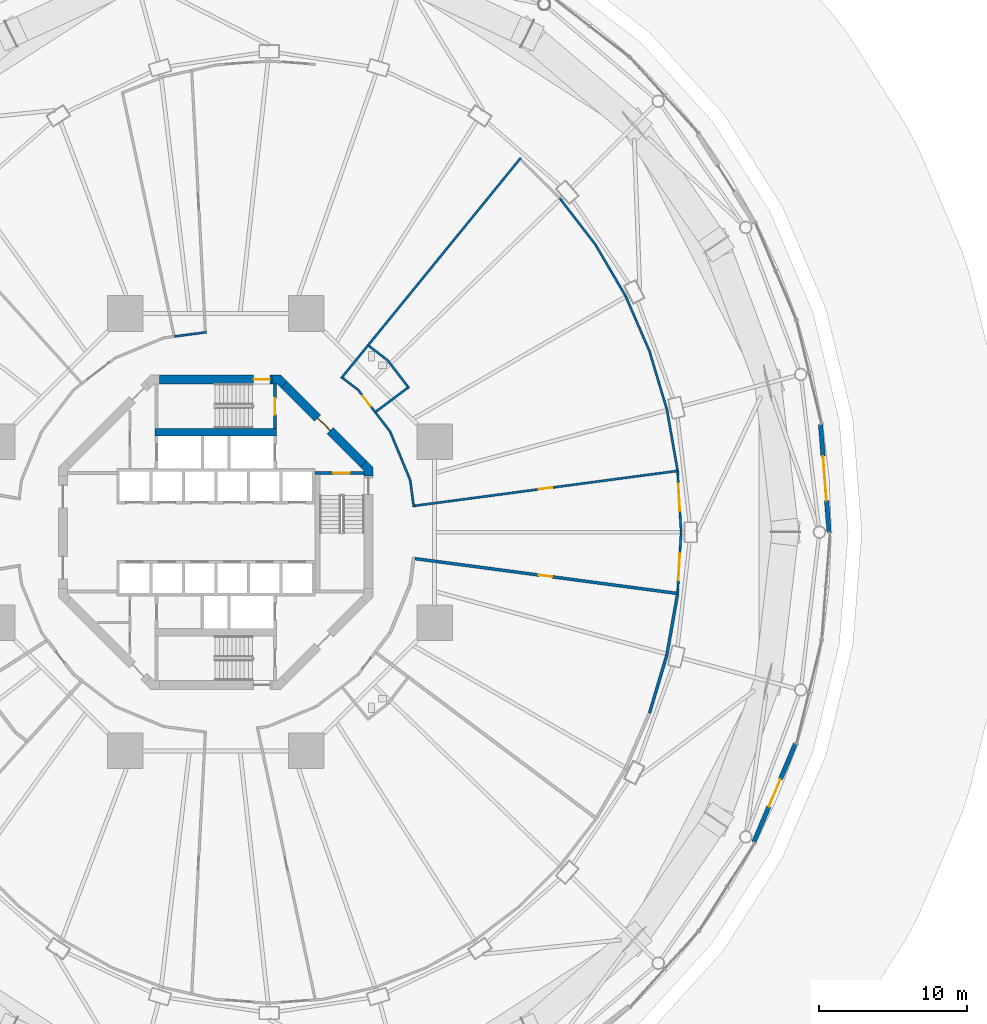
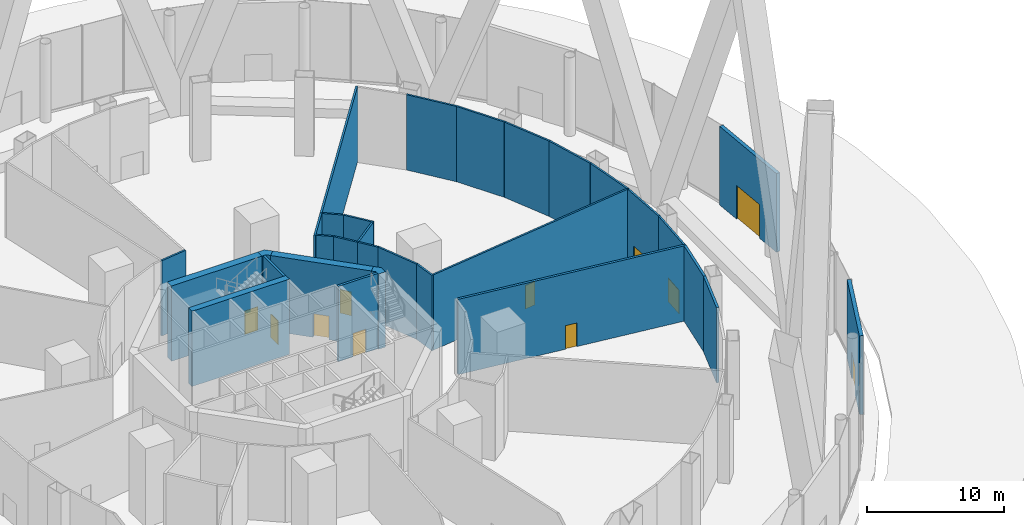
# One storey, part 61 of 67: 31 walls, 11 doors, 11 openings.
"""IFC4 building model written with IfcOpenShell, lengths in metres."""

import ifcopenshell
import ifcopenshell.guid

model = None  # the IFC model being written
_history = None  # IfcOwnerHistory: only IFC2X3 demands one
_inside = {}  # id of a spatial element -> (the spatial element, [elements in it])
_under = {}  # id of a project, library or spatial element -> (it, [spatial elements below it])
_declared = {}  # id of a project -> (the project, [libraries it declares])
_typed = {}  # id of a type object -> (the type object, [elements of that type])
_made_of = {}  # id of a material, layer set ... -> (it, [elements and type objects made of it])


def new_model(schema):
    """Start an empty IFC model of exactly this schema.

    Asked for "IFC4X3", IfcOpenShell would pick the latest addendum, in which some entities
    have other attributes; the version numbers below select the first issue.
    IFC2X3 requires an IfcOwnerHistory on every rooted entity: one is made here for all.
    """
    global model, _history
    if schema == "IFC4X3":
        model = ifcopenshell.file(schema_version=(4, 3, 0, 0))
    else:
        model = ifcopenshell.file(schema=schema)
    _inside.clear()
    _under.clear()
    _declared.clear()
    _typed.clear()
    _made_of.clear()
    _history = None
    if model.schema == "IFC2X3":
        org = make("IfcOrganization", Name="unknown")
        user = make(
            "IfcPersonAndOrganization",
            ThePerson=make("IfcPerson", FamilyName="unknown"),
            TheOrganization=org,
        )
        app = make(
            "IfcApplication",
            ApplicationDeveloper=org,
            Version="unknown",
            ApplicationFullName="unknown",
            ApplicationIdentifier="unknown",
        )
        _history = make(
            "IfcOwnerHistory",
            OwningUser=user,
            OwningApplication=app,
            ChangeAction="ADDED",
            CreationDate=0,
        )
    return model


def make(cls, **values):
    """One entity of the class cls with the attributes given. An attribute that is None is left unset."""
    return model.create_entity(
        cls, **{name: value for name, value in values.items() if value is not None}
    )


def rooted(cls, **values):
    """An entity with a GlobalId (a new one), such as an element, a storey or a relation."""
    return make(cls, GlobalId=ifcopenshell.guid.new(), OwnerHistory=_history, **values)


def si_unit(unit_type, name, prefix=None):
    """IfcSIUnit, for example si_unit("LENGTHUNIT", "METRE", prefix="MILLI")."""
    return make("IfcSIUnit", UnitType=unit_type, Prefix=prefix, Name=name)


def assignment(units):
    """IfcUnitAssignment: the units of a project."""
    return None if units is None else make("IfcUnitAssignment", Units=units)


def point(xyz):
    """IfcCartesianPoint."""
    return None if xyz is None else make("IfcCartesianPoint", Coordinates=xyz)


def direction(xyz):
    """IfcDirection."""
    return None if xyz is None else make("IfcDirection", DirectionRatios=xyz)


def frame(location, z_axis=None, x_axis=None):
    """IfcAxis2Placement3D, a coordinate frame: its origin and axes. An axis left out is left unset."""
    return make(
        "IfcAxis2Placement3D",
        Location=point(location),
        Axis=direction(z_axis),
        RefDirection=direction(x_axis),
    )


def frame_2d(location, x_axis=None):
    """IfcAxis2Placement2D, a coordinate frame in the plane: its origin and x axis."""
    return make(
        "IfcAxis2Placement2D", Location=point(location), RefDirection=direction(x_axis)
    )


def origin():
    """The frame at (0, 0, 0) with its axes left unset."""
    return frame((0.0, 0.0, 0.0))


def place(relative_to, where):
    """IfcLocalPlacement: puts the frame where relative to a parent placement (None: the world)."""
    return make(
        "IfcLocalPlacement", PlacementRelTo=relative_to, RelativePlacement=where
    )


def context(
    kind, dimensions, precision=None, world=None, true_north=None, identifier=None
):
    """IfcGeometricRepresentationContext, for example the 3D "Model" context."""
    return make(
        "IfcGeometricRepresentationContext",
        ContextIdentifier=identifier,
        ContextType=kind,
        CoordinateSpaceDimension=dimensions,
        Precision=precision,
        WorldCoordinateSystem=world,
        TrueNorth=true_north,
    )


def subcontext(parent, identifier, kind, view, scale=None):
    """IfcGeometricRepresentationSubContext, for example "Body" below "Model"."""
    return make(
        "IfcGeometricRepresentationSubContext",
        ContextIdentifier=identifier,
        ContextType=kind,
        ParentContext=parent,
        TargetScale=scale,
        TargetView=view,
    )


def project(units=None, contexts=None):
    """IfcProject with its units and contexts."""
    return rooted(
        "IfcProject",
        Name="project",
        RepresentationContexts=contexts,
        UnitsInContext=assignment(units),
    )


def spatial(cls, under=None, at=None, **own):
    """A site, building, storey or space (cls), placed at a placement, below another one or the project."""
    s = rooted(cls, ObjectPlacement=at, **own)
    if under is not None:
        _under.setdefault(under.id(), (under, []))[1].append(s)
    return s


def polyline(points):
    """IfcPolyline through the points."""
    return make("IfcPolyline", Points=[point(p) for p in points])


def profile(cls, at=None, kind="AREA", **sizes):
    """A parametric profile (cls). Its sizes go by their IFC names, for example OverallWidth=200.0."""
    return make(cls, ProfileType=kind, Position=at, **sizes)


def rectangle(**sizes):
    """IfcRectangleProfileDef."""
    return profile("IfcRectangleProfileDef", **sizes)


def outline(outer, holes=None, kind="AREA"):
    """IfcArbitraryClosedProfileDef: a profile drawn as a closed curve; with holes, ...WithVoids."""
    if holes is None:
        return make("IfcArbitraryClosedProfileDef", ProfileType=kind, OuterCurve=outer)
    return make(
        "IfcArbitraryProfileDefWithVoids",
        ProfileType=kind,
        OuterCurve=outer,
        InnerCurves=holes,
    )


def extrude(swept, where, along, depth):
    """IfcExtrudedAreaSolid: the profile swept, set in the frame where, extruded along a direction by depth."""
    return make(
        "IfcExtrudedAreaSolid",
        SweptArea=swept,
        Position=where,
        ExtrudedDirection=direction(along),
        Depth=depth,
    )


def shape(context_of_items, identifier, shape_type, items):
    """IfcShapeRepresentation: the items that make up one representation, for example the "Body"."""
    return make(
        "IfcShapeRepresentation",
        ContextOfItems=context_of_items,
        RepresentationIdentifier=identifier,
        RepresentationType=shape_type,
        Items=items,
    )


def material(Name=None, Category=None):
    """IfcMaterial."""
    return make("IfcMaterial", Name=Name, Category=Category)


def layer(
    of_material, thickness, ventilated=None, Name=None, Category=None, Priority=None
):
    """IfcMaterialLayer: one layer of a wall or slab, of a material (None: an air gap)."""
    return make(
        "IfcMaterialLayer",
        Material=of_material,
        LayerThickness=thickness,
        IsVentilated=ventilated,
        Name=Name,
        Category=Category,
        Priority=Priority,
    )


def layer_set(layers, Name=None):
    """IfcMaterialLayerSet."""
    return make("IfcMaterialLayerSet", MaterialLayers=layers, LayerSetName=Name)


def made_of(thing, what):
    """Note that an element or type object is made of a material, layer set ...; save() writes the relation."""
    if what is not None:
        _made_of.setdefault(what.id(), (what, []))[1].append(thing)
    return thing


def type_object(cls, material=None, **own):
    """A type object (cls), such as IfcWallType, which elements share."""
    return made_of(rooted(cls, **own), material)


def element(
    cls,
    number,
    at=None,
    inside=None,
    cuts=None,
    type_object=None,
    material=None,
    context=None,
    identifier="Body",
    shape_type=None,
    held_by="IfcProductDefinitionShape",
    body=None,
    shapes=None,
    **own,
):
    """One element of the class cls, such as IfcWall. Its Tag is "e" and its number.

    at: its placement. inside: the storey or other place that contains it. cuts: it is an
    opening in that element (IfcRelVoidsElement). A single representation is given by context,
    identifier, shape_type and body (its items); several are given by shapes. held_by: the class
    of the entity that holds the representations. save() writes the other relations.
    """
    e = rooted(cls, Tag="e%d" % number, ObjectPlacement=at, **own)
    if body is not None:
        shapes = [shape(context, identifier, shape_type, body)]
    if shapes is not None:
        e.Representation = make(held_by, Representations=shapes)
    if inside is not None:
        _inside.setdefault(inside.id(), (inside, []))[1].append(e)
    if cuts is not None:
        rooted(
            "IfcRelVoidsElement", RelatingBuildingElement=cuts, RelatedOpeningElement=e
        )
    if type_object is not None:
        _typed.setdefault(type_object.id(), (type_object, []))[1].append(e)
    return made_of(e, material)


def fill(opening, filler):
    """IfcRelFillsElement: the door or window that sits in an opening."""
    return rooted(
        "IfcRelFillsElement",
        RelatingOpeningElement=opening,
        RelatedBuildingElement=filler,
    )


def aggregate(whole, parts):
    """IfcRelAggregates: a whole, such as a stair, and the parts it consists of."""
    return rooted("IfcRelAggregates", RelatingObject=whole, RelatedObjects=parts)


def save(model, path):
    """Write the relations noted so far, then the file.

    IfcRelAggregates (storeys below a building ...), IfcRelContainedInSpatialStructure (elements
    in a storey), IfcRelDefinesByType, IfcRelAssociatesMaterial and IfcRelDeclares: one each for
    every whole, place, type object, material and project.
    """
    for whole, parts in _under.values():
        aggregate(whole, parts)
    for where, things in _inside.values():
        rooted(
            "IfcRelContainedInSpatialStructure",
            RelatedElements=things,
            RelatingStructure=where,
        )
    for kind, things in _typed.values():
        rooted("IfcRelDefinesByType", RelatedObjects=things, RelatingType=kind)
    for what, things in _made_of.values():
        rooted("IfcRelAssociatesMaterial", RelatedObjects=things, RelatingMaterial=what)
    for by, libraries in _declared.values():
        rooted("IfcRelDeclares", RelatingContext=by, RelatedDefinitions=libraries)
    model.write(path)


model = new_model("IFC4")

# Units and contexts
model_context = context("Model", 3, precision=1e-05, world=origin(), true_north=direction((0.0, 1.0)))
body_context = subcontext(model_context, "Body", "Model", "MODEL_VIEW")
ifc_project = project(units=[si_unit("LENGTHUNIT", "METRE"), si_unit("AREAUNIT", "SQUARE_METRE"), si_unit("VOLUMEUNIT", "CUBIC_METRE"), si_unit("PLANEANGLEUNIT", "RADIAN"), si_unit("MASSUNIT", "GRAM", prefix="KILO")], contexts=[model_context])

# Site, building, storey
site_placement = place(None, origin())
site = spatial("IfcSite", under=ifc_project, at=site_placement, CompositionType="ELEMENT")
building_placement = place(site_placement, origin())
building = spatial("IfcBuilding", under=site, at=building_placement, Name="Nagisa Residences", CompositionType="ELEMENT")
storey_placement = place(building_placement, origin())
storey = spatial("IfcBuildingStorey", under=building, at=storey_placement, Name="L00", CompositionType="ELEMENT", Elevation=0.0)

# Wall, opening, door
ifc_material_1 = material(Name="Concrete C60", Category="concrete")
ifc_layer_1 = layer(ifc_material_1, 0.60009765625)
ifc_layer_set_1 = layer_set([ifc_layer_1], Name="Core shear wall 600")
wall_type_1 = type_object("IfcWallType", Name="Core shear wall 600", PredefinedType="SHEAR", material=ifc_layer_set_1)
wall_1_placement = place(storey_placement, frame((9.98828125, 4.613037109375, 0.0), z_axis=(0.0, 0.0, 1.0), x_axis=(-0.707106781187, 0.707106781187, 0.0)))
wall_1 = element("IfcWall", 1, at=wall_1_placement, inside=storey, type_object=wall_type_1, Name="wall:L00:core:flat1", PredefinedType="SHEAR", context=body_context, shape_type="SweptSolid", body=[
    extrude(rectangle(XDim=7.601806640625, YDim=0.60009765625, at=frame_2d((3.80078125, 0.0))), origin(), (0.0, 0.0, 1.0), 6.699951171875),
])
opening_1_placement = place(wall_1_placement, frame((3.200927734375, 0.0, 0.0)))
opening_1 = element("IfcOpeningElement", 2, at=opening_1_placement, cuts=wall_1, Name="Opening L00-C23", PredefinedType="OPENING", context=body_context, shape_type="SweptSolid", body=[
    extrude(rectangle(XDim=1.199951171875, YDim=2.10009765625, at=frame_2d((0.60009765625, 1.050048828125))), frame((0.0, 0.31005859375, 0.0), z_axis=(0.0, -1.0, 0.0), x_axis=(1.0, 0.0, 0.0)), (0.0, 0.0, 1.0), 0.6201171875),
])
ifc_material_2 = material(Name="Steel fire door", Category="steel")
door_type_1 = type_object("IfcDoorType", Name="Fire door EI60 1200x2100 single swing", OperationType="NOTDEFINED", PredefinedType="DOOR", material=ifc_material_2)
door_1_placement = place(opening_1_placement, origin())
door_1 = element("IfcDoor", 3, at=door_1_placement, inside=storey, type_object=door_type_1, Name="Firefighting lobby 1 door L00", OperationType="SINGLE_SWING_LEFT", OverallHeight=2.10009765625, OverallWidth=1.199951171875, PredefinedType="DOOR", context=body_context, shape_type="SweptSolid", body=[
    extrude(rectangle(XDim=1.199951171875, YDim=2.10009765625, at=frame_2d((0.60009765625, 1.050048828125))), frame((0.0, 0.02490234375, 0.0), z_axis=(0.0, -1.0, 0.0), x_axis=(1.0, 0.0, 0.0)), (0.0, 0.0, 1.0), 0.050048828125),
])
fill(opening_1, door_1)

wall_2_placement = place(storey_placement, frame((3.80078125, 10.32470703125, 0.0), z_axis=(0.0, 0.0, 1.0), x_axis=(-1.0, 0.0, 0.0)))
wall_2 = element("IfcWall", 4, at=wall_2_placement, inside=storey, type_object=wall_type_1, Name="wall:L00:core:flat2", PredefinedType="SHEAR", context=body_context, shape_type="SweptSolid", body=[
    extrude(rectangle(XDim=7.6015625, YDim=0.60009765625, at=frame_2d((3.80078125, 0.0))), origin(), (0.0, 0.0, 1.0), 6.699951171875),
])
opening_2_placement = place(wall_2_placement, frame((0.15087890625, 0.0, 0.0)))
opening_2 = element("IfcOpeningElement", 5, at=opening_2_placement, cuts=wall_2, Name="Opening L00-C30", PredefinedType="OPENING", context=body_context, shape_type="SweptSolid", body=[
    extrude(rectangle(XDim=1.10009765625, YDim=2.10009765625, at=frame_2d((0.550048828125, 1.050048828125))), frame((0.0, 0.31005859375, 0.0), z_axis=(0.0, -1.0, 0.0), x_axis=(1.0, 0.0, 0.0)), (0.0, 0.0, 1.0), 0.6201171875),
])
ifc_material_3 = material(Name="Steel fire door", Category="steel")
door_type_2 = type_object("IfcDoorType", Name="Fire door EI60 1100x2100 single swing", OperationType="NOTDEFINED", PredefinedType="DOOR", material=ifc_material_3)
door_2_placement = place(opening_2_placement, frame((1.10009765625, 0.0, 0.0), x_axis=(-1.0, 0.0, 0.0)))
door_2 = element("IfcDoor", 6, at=door_2_placement, inside=storey, type_object=door_type_2, Name="Exit door stair N", OperationType="SINGLE_SWING_LEFT", OverallHeight=2.10009765625, OverallWidth=1.10009765625, PredefinedType="DOOR", context=body_context, shape_type="SweptSolid", body=[
    extrude(rectangle(XDim=1.10009765625, YDim=2.10009765625, at=frame_2d((0.550048828125, 1.050048828125))), frame((0.0, 0.02490234375, 0.0), z_axis=(0.0, -1.0, 0.0), x_axis=(1.0, 0.0, 0.0)), (0.0, 0.0, 1.0), 0.050048828125),
])
fill(opening_2, door_2)

# Walls
wall_3_placement = place(storey_placement, origin())
element("IfcWall", 7, at=wall_3_placement, inside=storey, type_object=wall_type_1, Name="wall:L00:core:pier1", PredefinedType="SHEAR", context=body_context, shape_type="SweptSolid", body=[
    extrude(outline(polyline([(4.8251953125, 10.200439453125), (4.40087890625, 9.776123046875), (4.15234375, 10.024658203125), (3.80078125, 10.024658203125), (3.80078125, 10.62451171875), (4.40087890625, 10.62451171875), (4.8251953125, 10.200439453125)])), origin(), (0.0, 0.0, 1.0), 6.699951171875),
])
wall_4_placement = place(storey_placement, origin())
element("IfcWall", 8, at=wall_4_placement, inside=storey, type_object=wall_type_1, Name="wall:L00:core:pier0", PredefinedType="SHEAR", context=body_context, shape_type="SweptSolid", body=[
    extrude(outline(polyline([(10.62451171875, 3.80078125), (10.024658203125, 3.80078125), (10.024658203125, 4.15234375), (9.776123046875, 4.40087890625), (10.200439453125, 4.8251953125), (10.62451171875, 4.40087890625), (10.62451171875, 3.80078125)])), origin(), (0.0, 0.0, 1.0), 6.699951171875),
])

# Wall, opening, door
ifc_material_4 = material(Name="Precast concrete C40/50", Category="concrete")
ifc_layer_2 = layer(ifc_material_4, 0.300048828125)
ifc_layer_set_2 = layer_set([ifc_layer_2], Name="ENTRANCE WALL 300")
wall_type_2 = type_object("IfcWallType", Name="ENTRANCE WALL 300", PredefinedType="SOLIDWALL", material=ifc_layer_set_2)
wall_5_placement = place(storey_placement, frame((40.873046875, 7.281494140625, 0.0), z_axis=(0.0, 0.0, 1.0), x_axis=(0.078921540002, -0.996880830653, 0.0)))
wall_5 = element("IfcWall", 9, at=wall_5_placement, inside=storey, type_object=wall_type_2, Name="wall:L00:ent00", PredefinedType="SOLIDWALL", context=body_context, shape_type="SweptSolid", body=[
    extrude(rectangle(XDim=7.31591796875, YDim=0.300048828125, at=frame_2d((3.657958984375, 0.0))), origin(), (0.0, 0.0, 1.0), 7.0),
])
opening_3_placement = place(wall_5_placement, frame((2.157958984375, 0.0, 0.0)))
opening_3 = element("IfcOpeningElement", 10, at=opening_3_placement, cuts=wall_5, Name="Opening ED-01", PredefinedType="OPENING", context=body_context, shape_type="SweptSolid", body=[
    extrude(rectangle(XDim=3.0, YDim=3.0, at=frame_2d((1.5, 1.5))), frame((0.0, 0.159912109375, 0.0), z_axis=(0.0, -1.0, 0.0), x_axis=(1.0, 0.0, 0.0)), (0.0, 0.0, 1.0), 0.320068359375),
])
ifc_material_5 = material(Name="Stainless steel and clear glass", Category="steel")
door_type_3 = type_object("IfcDoorType", Name="ENTRANCE DOUBLE DOOR 3000x3000", OperationType="DOUBLE_DOOR_DOUBLE_SWING", PredefinedType="DOOR", material=ifc_material_5)
door_3_placement = place(opening_3_placement, origin())
door_3 = element("IfcDoor", 11, at=door_3_placement, inside=storey, type_object=door_type_3, Name="door:L00:ent00", OperationType="DOUBLE_DOOR_DOUBLE_SWING", OverallHeight=3.0, OverallWidth=3.0, PredefinedType="DOOR", context=body_context, shape_type="SweptSolid", body=[
    extrude(rectangle(XDim=3.0, YDim=3.0, at=frame_2d((1.5, 1.5))), frame((0.0, 0.02490234375, 0.0), z_axis=(0.0, -1.0, 0.0), x_axis=(1.0, 0.0, 0.0)), (0.0, 0.0, 1.0), 0.050048828125),
])
fill(opening_3, door_3)

wall_6_placement = place(storey_placement, frame((39.170166015625, -14.306640625, 0.0), z_axis=(0.0, 0.0, 1.0), x_axis=(-0.388720741137, -0.921355623747, 0.0)))
wall_6 = element("IfcWall", 12, at=wall_6_placement, inside=storey, type_object=wall_type_2, Name="wall:L00:xit33", PredefinedType="SOLIDWALL", context=body_context, shape_type="SweptSolid", body=[
    extrude(rectangle(XDim=7.201416015625, YDim=0.300048828125, at=frame_2d((3.6005859375, 0.0))), origin(), (0.0, 0.0, 1.0), 7.0),
])
opening_4_placement = place(wall_6_placement, frame((2.600830078125, 0.0, 0.0)))
opening_4 = element("IfcOpeningElement", 13, at=opening_4_placement, cuts=wall_6, Name="Opening XD-08", PredefinedType="OPENING", context=body_context, shape_type="SweptSolid", body=[
    extrude(rectangle(XDim=2.0, YDim=2.39990234375, at=frame_2d((1.0, 1.199951171875))), frame((0.0, 0.159912109375, 0.0), z_axis=(0.0, -1.0, 0.0), x_axis=(1.0, 0.0, 0.0)), (0.0, 0.0, 1.0), 0.320068359375),
])
ifc_material_6 = material(Name="Stainless steel and clear glass", Category="steel")
door_type_4 = type_object("IfcDoorType", Name="EXIT DOUBLE DOOR 2000x2400", OperationType="DOUBLE_DOOR_SINGLE_SWING", PredefinedType="DOOR", material=ifc_material_6)
door_4_placement = place(opening_4_placement, origin())
door_4 = element("IfcDoor", 14, at=door_4_placement, inside=storey, type_object=door_type_4, Name="door:L00:xit33", OperationType="DOUBLE_DOOR_SINGLE_SWING", OverallHeight=2.39990234375, OverallWidth=2.0, PredefinedType="DOOR", context=body_context, shape_type="SweptSolid", body=[
    extrude(rectangle(XDim=2.0, YDim=2.39990234375, at=frame_2d((1.0, 1.199951171875))), frame((0.0, 0.02490234375, 0.0), z_axis=(0.0, -1.0, 0.0), x_axis=(1.0, 0.0, 0.0)), (0.0, 0.0, 1.0), 0.050048828125),
])
fill(opening_4, door_4)

ifc_material_7 = material(Name="Gypsum board on steel studs", Category="steel")
ifc_layer_3 = layer(ifc_material_7, 0.199951171875)
ifc_layer_set_3 = layer_set([ifc_layer_3], Name="Plant room wall EI120 200")
wall_type_3 = type_object("IfcWallType", Name="Plant room wall EI120 200", PredefinedType="PARTITIONING", material=ifc_layer_set_3)
wall_7_placement = place(storey_placement, frame((13.465576171875, -1.787353515625, 0.0), z_axis=(0.0, 0.0, 1.0), x_axis=(0.991306373283, -0.131573835882, 0.0)))
wall_7 = element("IfcWall", 15, at=wall_7_placement, inside=storey, type_object=wall_type_3, Name="wall:L00:am091", PredefinedType="PARTITIONING", context=body_context, shape_type="SweptSolid", body=[
    extrude(rectangle(XDim=17.974609375, YDim=0.199951171875, at=frame_2d((8.9873046875, 0.0))), origin(), (0.0, 0.0, 1.0), 6.699951171875),
])
opening_5_placement = place(wall_7_placement, frame((8.44970703125, 0.0, 0.0)))
opening_5 = element("IfcOpeningElement", 16, at=opening_5_placement, cuts=wall_7, Name="Opening L00-A11", PredefinedType="OPENING", context=body_context, shape_type="SweptSolid", body=[
    extrude(rectangle(XDim=0.89990234375, YDim=2.10009765625, at=frame_2d((0.449951171875, 1.050048828125))), frame((0.0, 0.10986328125, 0.0), z_axis=(0.0, -1.0, 0.0), x_axis=(1.0, 0.0, 0.0)), (0.0, 0.0, 1.0), 0.219970703125),
])
ifc_material_8 = material(Name="Steel fire door", Category="steel")
door_type_5 = type_object("IfcDoorType", Name="Fire door EI120 900x2100 single swing", OperationType="NOTDEFINED", PredefinedType="DOOR", material=ifc_material_8)
door_5_placement = place(opening_5_placement, frame((0.89990234375, 0.0, 0.0), x_axis=(-1.0, 0.0, 0.0)))
door_5 = element("IfcDoor", 17, at=door_5_placement, inside=storey, type_object=door_type_5, Name="Building management plant room door", OperationType="SINGLE_SWING_RIGHT", OverallHeight=2.10009765625, OverallWidth=0.89990234375, PredefinedType="DOOR", context=body_context, shape_type="SweptSolid", body=[
    extrude(rectangle(XDim=0.89990234375, YDim=2.10009765625, at=frame_2d((0.449951171875, 1.050048828125))), frame((0.0, 0.02490234375, 0.0), z_axis=(0.0, -1.0, 0.0), x_axis=(1.0, 0.0, 0.0)), (0.0, 0.0, 1.0), 0.050048828125),
])
fill(opening_5, door_5)

# Walls
wall_8_placement = place(storey_placement, frame((30.48828125, -8.2841796875, 0.0), z_axis=(0.0, 0.0, 1.0), x_axis=(-0.285801297307, -0.958288901354, 0.0)))
element("IfcWall", 18, at=wall_8_placement, inside=storey, type_object=wall_type_3, Name="wall:L00:am095", PredefinedType="PARTITIONING", context=body_context, shape_type="SweptSolid", body=[
    extrude(rectangle(XDim=4.114013671875, YDim=0.199951171875, at=frame_2d((2.05712890625, 0.0))), origin(), (0.0, 0.0, 1.0), 6.699951171875),
])
wall_9_placement = place(storey_placement, frame((31.20751953125, -4.1748046875, 0.0), z_axis=(0.0, 0.0, 1.0), x_axis=(-0.172166598585, -0.985067846563, 0.0)))
element("IfcWall", 19, at=wall_9_placement, inside=storey, type_object=wall_type_3, Name="wall:L00:am096", PredefinedType="PARTITIONING", context=body_context, shape_type="SweptSolid", body=[
    extrude(rectangle(XDim=4.15625, YDim=0.199951171875, at=frame_2d((2.078125, 0.0))), origin(), (0.0, 0.0, 1.0), 6.699951171875),
])
ifc_material_9 = material(Name="Gypsum board on steel studs", Category="steel")
ifc_layer_4 = layer(ifc_material_9, 0.14990234375)
ifc_layer_set_4 = layer_set([ifc_layer_4], Name="Room partition EI60 150")
wall_type_4 = type_object("IfcWallType", Name="Room partition EI60 150", PredefinedType="PARTITIONING", material=ifc_layer_set_4)
wall_10_placement = place(storey_placement, frame((-2.81201171875, 13.229736328125, 0.0), z_axis=(0.0, 0.0, 1.0), x_axis=(0.991442947496, 0.130540728744, 0.0)))
element("IfcWall", 20, at=wall_10_placement, inside=storey, type_object=wall_type_4, Name="wall:L00:am037", PredefinedType="PARTITIONING", context=body_context, shape_type="SweptSolid", body=[
    extrude(rectangle(XDim=2.197509765625, YDim=0.14990234375, at=frame_2d((1.0986328125, 0.0))), origin(), (0.0, 0.0, 1.0), 6.699951171875),
])
wall_11_placement = place(storey_placement, frame((8.471923828125, 10.400634765625, 0.0), z_axis=(0.0, 0.0, 1.0), x_axis=(0.631544460315, 0.775339664048, 0.0)))
element("IfcWall", 21, at=wall_11_placement, inside=storey, type_object=wall_type_4, Name="wall:L00:am052", PredefinedType="PARTITIONING", context=body_context, shape_type="SweptSolid", body=[
    extrude(rectangle(XDim=2.876220703125, YDim=0.14990234375, at=frame_2d((1.43798828125, 0.0))), origin(), (0.0, 0.0, 1.0), 6.699951171875),
])
wall_12_placement = place(storey_placement, frame((9.607177734375, 9.6240234375, 0.0), z_axis=(0.0, 0.0, 1.0), x_axis=(-0.793421424222, 0.608672690028, 0.0)))
element("IfcWall", 22, at=wall_12_placement, inside=storey, type_object=wall_type_4, Name="wall:L00:am054", PredefinedType="PARTITIONING", context=body_context, shape_type="SweptSolid", body=[
    extrude(rectangle(XDim=1.29638671875, YDim=0.14990234375, at=frame_2d((0.648193359375, 0.0))), origin(), (0.0, 0.0, 1.0), 6.699951171875),
])
wall_13_placement = place(storey_placement, frame((10.347900390625, 12.5849609375, 0.0), z_axis=(0.0, 0.0, 1.0), x_axis=(0.793328373205, -0.608793965368, 0.0)))
element("IfcWall", 23, at=wall_13_placement, inside=storey, type_object=wall_type_4, Name="wall:L00:am056", PredefinedType="PARTITIONING", context=body_context, shape_type="SweptSolid", body=[
    extrude(rectangle(XDim=1.583740234375, YDim=0.14990234375, at=frame_2d((0.7919921875, 0.0))), origin(), (0.0, 0.0, 1.0), 6.699951171875),
])
wall_14_placement = place(storey_placement, frame((10.288330078125, 12.630615234375, 0.0), z_axis=(0.0, 0.0, 1.0), x_axis=(0.631545274273, 0.775339001046, 0.0)))
element("IfcWall", 24, at=wall_14_placement, inside=storey, type_object=wall_type_4, Name="wall:L00:am057", PredefinedType="PARTITIONING", context=body_context, shape_type="SweptSolid", body=[
    extrude(rectangle(XDim=16.34521484375, YDim=0.14990234375, at=frame_2d((8.172607421875, 0.0))), origin(), (0.0, 0.0, 1.0), 6.699951171875),
])

# Wall, opening, door
wall_15_placement = place(storey_placement, frame((10.773681640625, 8.10888671875, 0.0), z_axis=(0.0, 0.0, 1.0), x_axis=(-0.608754453805, 0.793358692504, 0.0)))
wall_15 = element("IfcWall", 25, at=wall_15_placement, inside=storey, type_object=wall_type_4, Name="wall:L00:am060", PredefinedType="PARTITIONING", context=body_context, shape_type="SweptSolid", body=[
    extrude(rectangle(XDim=1.888427734375, YDim=0.14990234375, at=frame_2d((0.9443359375, 0.0))), origin(), (0.0, 0.0, 1.0), 6.699951171875),
])
opening_6_placement = place(wall_15_placement, frame((0.500244140625, 0.0, 0.0)))
opening_6 = element("IfcOpeningElement", 26, at=opening_6_placement, cuts=wall_15, Name="Opening L00-A01", PredefinedType="OPENING", context=body_context, shape_type="SweptSolid", body=[
    extrude(rectangle(XDim=0.89990234375, YDim=2.10009765625, at=frame_2d((0.449951171875, 1.050048828125))), frame((0.0, 0.0849609375, 0.0), z_axis=(0.0, -1.0, 0.0), x_axis=(1.0, 0.0, 0.0)), (0.0, 0.0, 1.0), 0.169921875),
])
ifc_material_10 = material(Name="Steel fire door", Category="steel")
door_type_6 = type_object("IfcDoorType", Name="Fire door EI30 900x2100 single swing", OperationType="NOTDEFINED", PredefinedType="DOOR", material=ifc_material_10)
door_6_placement = place(opening_6_placement, frame((0.89990234375, 0.0, 0.0), x_axis=(-1.0, 0.0, 0.0)))
door_6 = element("IfcDoor", 27, at=door_6_placement, inside=storey, type_object=door_type_6, Name="Accessible WC door", OperationType="SINGLE_SWING_RIGHT", OverallHeight=2.10009765625, OverallWidth=0.89990234375, PredefinedType="DOOR", context=body_context, shape_type="SweptSolid", body=[
    extrude(rectangle(XDim=0.89990234375, YDim=2.10009765625, at=frame_2d((0.449951171875, 1.050048828125))), frame((0.0, 0.02490234375, 0.0), z_axis=(0.0, -1.0, 0.0), x_axis=(1.0, 0.0, 0.0)), (0.0, 0.0, 1.0), 0.050048828125),
])
fill(opening_6, door_6)

# Walls
wall_16_placement = place(storey_placement, frame((11.620849609375, 11.604248046875, 0.0), z_axis=(0.0, 0.0, 1.0), x_axis=(0.608759688573, -0.793354675771, 0.0)))
element("IfcWall", 28, at=wall_16_placement, inside=storey, type_object=wall_type_4, Name="wall:L00:am062", PredefinedType="PARTITIONING", context=body_context, shape_type="SweptSolid", body=[
    extrude(rectangle(XDim=2.358154296875, YDim=0.14990234375, at=frame_2d((1.17919921875, 0.0))), origin(), (0.0, 0.0, 1.0), 6.699951171875),
])
wall_17_placement = place(storey_placement, frame((11.770751953125, 6.809326171875, 0.0), z_axis=(0.0, 0.0, 1.0), x_axis=(-0.608716251771, 0.793388003961, 0.0)))
element("IfcWall", 29, at=wall_17_placement, inside=storey, type_object=wall_type_4, Name="wall:L00:am063", PredefinedType="PARTITIONING", context=body_context, shape_type="SweptSolid", body=[
    extrude(rectangle(XDim=1.637939453125, YDim=0.14990234375, at=frame_2d((0.81884765625, 0.0))), origin(), (0.0, 0.0, 1.0), 6.699951171875),
])
wall_18_placement = place(storey_placement, frame((12.950927734375, 9.747802734375, 0.0), z_axis=(0.0, 0.0, 1.0), x_axis=(-0.798970748419, -0.601369888813, 0.0)))
element("IfcWall", 30, at=wall_18_placement, inside=storey, type_object=wall_type_4, Name="wall:L00:am065", PredefinedType="PARTITIONING", context=body_context, shape_type="SweptSolid", body=[
    extrude(rectangle(XDim=2.650146484375, YDim=0.14990234375, at=frame_2d((1.3251953125, 0.0))), origin(), (0.0, 0.0, 1.0), 6.699951171875),
])
wall_19_placement = place(storey_placement, frame((13.132080078125, 3.53076171875, 0.0), z_axis=(0.0, 0.0, 1.0), x_axis=(-0.382677866108, 0.923881838111, 0.0)))
element("IfcWall", 31, at=wall_19_placement, inside=storey, type_object=wall_type_4, Name="wall:L00:am066", PredefinedType="PARTITIONING", context=body_context, shape_type="SweptSolid", body=[
    extrude(rectangle(XDim=3.52685546875, YDim=0.14990234375, at=frame_2d((1.763427734375, 0.0))), origin(), (0.0, 0.0, 1.0), 6.699951171875),
])
wall_20_placement = place(storey_placement, frame((13.376220703125, 1.69970703125, 0.0), z_axis=(0.0, 0.0, 1.0), x_axis=(-0.130506449818, 0.99144746031, 0.0)))
element("IfcWall", 32, at=wall_20_placement, inside=storey, type_object=wall_type_4, Name="wall:L00:am067", PredefinedType="PARTITIONING", context=body_context, shape_type="SweptSolid", body=[
    extrude(rectangle(XDim=1.823974609375, YDim=0.14990234375, at=frame_2d((0.912109375, 0.0))), origin(), (0.0, 0.0, 1.0), 6.699951171875),
])
wall_21_placement = place(storey_placement, frame((23.2451171875, 22.56787109375, 0.0), z_axis=(0.0, 0.0, 1.0), x_axis=(0.610426812106, -0.792072665266, 0.0)))
element("IfcWall", 33, at=wall_21_placement, inside=storey, type_object=wall_type_4, Name="wall:L00:am073", PredefinedType="PARTITIONING", context=body_context, shape_type="SweptSolid", body=[
    extrude(rectangle(XDim=3.936767578125, YDim=0.14990234375, at=frame_2d((1.96826171875, 0.0))), origin(), (0.0, 0.0, 1.0), 6.699951171875),
])
wall_22_placement = place(storey_placement, frame((25.655517578125, 19.438720703125, 0.0), z_axis=(0.0, 0.0, 1.0), x_axis=(0.50633554765, -0.86233654288, 0.0)))
element("IfcWall", 34, at=wall_22_placement, inside=storey, type_object=wall_type_4, Name="wall:L00:am075", PredefinedType="PARTITIONING", context=body_context, shape_type="SweptSolid", body=[
    extrude(rectangle(XDim=4.00634765625, YDim=0.14990234375, at=frame_2d((2.003173828125, 0.0))), origin(), (0.0, 0.0, 1.0), 6.699951171875),
])
wall_23_placement = place(storey_placement, frame((27.690185546875, 15.97216796875, 0.0), z_axis=(0.0, 0.0, 1.0), x_axis=(0.397639441132, -0.917541756465, 0.0)))
element("IfcWall", 35, at=wall_23_placement, inside=storey, type_object=wall_type_4, Name="wall:L00:am076", PredefinedType="PARTITIONING", context=body_context, shape_type="SweptSolid", body=[
    extrude(rectangle(XDim=4.067626953125, YDim=0.14990234375, at=frame_2d((2.03369140625, 0.0))), origin(), (0.0, 0.0, 1.0), 6.699951171875),
])
wall_24_placement = place(storey_placement, frame((29.31201171875, 12.227783203125, 0.0), z_axis=(0.0, 0.0, 1.0), x_axis=(0.285840471929, -0.958277216993, 0.0)))
element("IfcWall", 36, at=wall_24_placement, inside=storey, type_object=wall_type_4, Name="wall:L00:am077", PredefinedType="PARTITIONING", context=body_context, shape_type="SweptSolid", body=[
    extrude(rectangle(XDim=4.116943359375, YDim=0.14990234375, at=frame_2d((2.05859375, 0.0))), origin(), (0.0, 0.0, 1.0), 6.699951171875),
])
wall_25_placement = place(storey_placement, frame((30.49169921875, 8.2705078125, 0.0), z_axis=(0.0, 0.0, 1.0), x_axis=(0.172163826112, -0.985068331122, 0.0)))
element("IfcWall", 37, at=wall_25_placement, inside=storey, type_object=wall_type_4, Name="wall:L00:am078", PredefinedType="PARTITIONING", context=body_context, shape_type="SweptSolid", body=[
    extrude(rectangle(XDim=4.15771484375, YDim=0.14990234375, at=frame_2d((2.078857421875, 0.0))), origin(), (0.0, 0.0, 1.0), 6.699951171875),
])

# Wall, opening, door
wall_26_placement = place(storey_placement, frame((31.21533203125, -4.042236328125, 0.0), z_axis=(0.0, 0.0, 1.0), x_axis=(0.057493513861, 0.998345879875, 0.0)))
wall_26 = element("IfcWall", 38, at=wall_26_placement, inside=storey, type_object=wall_type_4, Name="wall:L00:am079", PredefinedType="PARTITIONING", context=body_context, shape_type="SweptSolid", body=[
    extrude(rectangle(XDim=4.04248046875, YDim=0.14990234375, at=frame_2d((2.021240234375, 0.0))), origin(), (0.0, 0.0, 1.0), 6.699951171875),
])
opening_7_placement = place(wall_26_placement, frame((0.78271484375, 0.0, 0.0)))
opening_7 = element("IfcOpeningElement", 39, at=opening_7_placement, cuts=wall_26, Name="Opening L00-A19", PredefinedType="OPENING", context=body_context, shape_type="SweptSolid", body=[
    extrude(rectangle(XDim=1.800048828125, YDim=2.10009765625, at=frame_2d((0.89990234375, 1.050048828125))), frame((0.0, 0.0849609375, 0.0), z_axis=(0.0, -1.0, 0.0), x_axis=(1.0, 0.0, 0.0)), (0.0, 0.0, 1.0), 0.169921875),
])
ifc_material_11 = material(Name="Steel fire door", Category="steel")
door_type_7 = type_object("IfcDoorType", Name="Fire door EI30 1800x2100 double door single swing", OperationType="DOUBLE_DOOR_SINGLE_SWING", PredefinedType="DOOR", material=ifc_material_11)
door_7_placement = place(opening_7_placement, frame((1.800048828125, 0.0, 0.0), x_axis=(-1.0, 0.0, 0.0)))
door_7 = element("IfcDoor", 40, at=door_7_placement, inside=storey, type_object=door_type_7, Name="Entrance hall east and exit corridor exit door", OperationType="DOUBLE_DOOR_SINGLE_SWING", OverallHeight=2.10009765625, OverallWidth=1.800048828125, PredefinedType="DOOR", context=body_context, shape_type="SweptSolid", body=[
    extrude(rectangle(XDim=1.800048828125, YDim=2.10009765625, at=frame_2d((0.89990234375, 1.050048828125))), frame((0.0, 0.02490234375, 0.0), z_axis=(0.0, -1.0, 0.0), x_axis=(1.0, 0.0, 0.0)), (0.0, 0.0, 1.0), 0.050048828125),
])
fill(opening_7, door_7)

wall_27_placement = place(storey_placement, frame((31.283935546875, 4.15234375, 0.0), z_axis=(0.0, 0.0, 1.0), x_axis=(-0.991305556345, -0.131579990725, 0.0)))
wall_27 = element("IfcWall", 41, at=wall_27_placement, inside=storey, type_object=wall_type_4, Name="wall:L00:am080", PredefinedType="PARTITIONING", context=body_context, shape_type="SweptSolid", body=[
    extrude(rectangle(XDim=17.999755859375, YDim=0.14990234375, at=frame_2d((9.0, 0.0))), origin(), (0.0, 0.0, 1.0), 6.699951171875),
])
opening_8_placement = place(wall_27_placement, frame((8.625, 0.0, 0.0)))
opening_8 = element("IfcOpeningElement", 42, at=opening_8_placement, cuts=wall_27, Name="Opening L00-A02", PredefinedType="OPENING", context=body_context, shape_type="SweptSolid", body=[
    extrude(rectangle(XDim=0.89990234375, YDim=2.10009765625, at=frame_2d((0.449951171875, 1.050048828125))), frame((0.0, 0.0849609375, 0.0), z_axis=(0.0, -1.0, 0.0), x_axis=(1.0, 0.0, 0.0)), (0.0, 0.0, 1.0), 0.169921875),
])
door_8_placement = place(opening_8_placement, frame((0.89990234375, 0.0, 0.0), x_axis=(-1.0, 0.0, 0.0)))
door_8 = element("IfcDoor", 43, at=door_8_placement, inside=storey, type_object=door_type_6, Name="Parcel and valet store door", OperationType="SINGLE_SWING_LEFT", OverallHeight=2.10009765625, OverallWidth=0.89990234375, PredefinedType="DOOR", context=body_context, shape_type="SweptSolid", body=[
    extrude(rectangle(XDim=0.89990234375, YDim=2.10009765625, at=frame_2d((0.449951171875, 1.050048828125))), frame((0.0, 0.02490234375, 0.0), z_axis=(0.0, -1.0, 0.0), x_axis=(1.0, 0.0, 0.0)), (0.0, 0.0, 1.0), 0.050048828125),
])
fill(opening_8, door_8)

wall_28_placement = place(storey_placement, frame((31.44775390625, 0.00634765625, 0.0), z_axis=(0.0, 0.0, 1.0), x_axis=(-0.057497602941, 0.998345644382, 0.0)))
wall_28 = element("IfcWall", 44, at=wall_28_placement, inside=storey, type_object=wall_type_4, Name="wall:L00:am081", PredefinedType="PARTITIONING", context=body_context, shape_type="SweptSolid", body=[
    extrude(rectangle(XDim=4.06787109375, YDim=0.14990234375, at=frame_2d((2.033935546875, 0.0))), origin(), (0.0, 0.0, 1.0), 6.699951171875),
])
opening_9_placement = place(wall_28_placement, frame((1.4599609375, 0.0, 0.0)))
opening_9 = element("IfcOpeningElement", 45, at=opening_9_placement, cuts=wall_28, Name="Opening L00-A18", PredefinedType="OPENING", context=body_context, shape_type="SweptSolid", body=[
    extrude(rectangle(XDim=1.800048828125, YDim=2.10009765625, at=frame_2d((0.89990234375, 1.050048828125))), frame((0.0, 0.0849609375, 0.0), z_axis=(0.0, -1.0, 0.0), x_axis=(1.0, 0.0, 0.0)), (0.0, 0.0, 1.0), 0.169921875),
])
door_9_placement = place(opening_9_placement, frame((1.800048828125, 0.0, 0.0), x_axis=(-1.0, 0.0, 0.0)))
door_9 = element("IfcDoor", 46, at=door_9_placement, inside=storey, type_object=door_type_7, Name="Entrance hall east and exit corridor exit door", OperationType="DOUBLE_DOOR_SINGLE_SWING", OverallHeight=2.10009765625, OverallWidth=1.800048828125, PredefinedType="DOOR", context=body_context, shape_type="SweptSolid", body=[
    extrude(rectangle(XDim=1.800048828125, YDim=2.10009765625, at=frame_2d((0.89990234375, 1.050048828125))), frame((0.0, 0.02490234375, 0.0), z_axis=(0.0, -1.0, 0.0), x_axis=(1.0, 0.0, 0.0)), (0.0, 0.0, 1.0), 0.050048828125),
])
fill(opening_9, door_9)

ifc_material_12 = material(Name="Concrete C60", Category="concrete")
ifc_layer_5 = layer(ifc_material_12, 0.199951171875)
ifc_layer_set_5 = layer_set([ifc_layer_5], Name="Stair enclosure wall 200")
wall_type_5 = type_object("IfcWallType", Name="Stair enclosure wall 200", PredefinedType="SOLIDWALL", material=ifc_layer_set_5)
wall_29_placement = place(storey_placement, frame((6.699951171875, 4.0, 0.0), z_axis=(0.0, 0.0, 1.0), x_axis=(1.0, 0.0, 0.0)))
wall_29 = element("IfcWall", 47, at=wall_29_placement, inside=storey, type_object=wall_type_5, Name="wall:L00:SE_n", PredefinedType="SOLIDWALL", context=body_context, shape_type="SweptSolid", body=[
    extrude(rectangle(XDim=3.32470703125, YDim=0.199951171875, at=frame_2d((1.662353515625, 0.0))), origin(), (0.0, 0.0, 1.0), 6.699951171875),
])
opening_10_placement = place(wall_29_placement, frame((1.25, 0.0, 0.0)))
opening_10 = element("IfcOpeningElement", 48, at=opening_10_placement, cuts=wall_29, Name="Opening L00-C16", PredefinedType="OPENING", context=body_context, shape_type="SweptSolid", body=[
    extrude(rectangle(XDim=1.10009765625, YDim=2.10009765625, at=frame_2d((0.550048828125, 1.050048828125))), frame((0.0, 0.10986328125, 0.0), z_axis=(0.0, -1.0, 0.0), x_axis=(1.0, 0.0, 0.0)), (0.0, 0.0, 1.0), 0.219970703125),
])
ifc_material_13 = material(Name="Steel fire door", Category="steel")
door_type_8 = type_object("IfcDoorType", Name="Fire door EI90 1100x2100 single swing", OperationType="NOTDEFINED", PredefinedType="DOOR", material=ifc_material_13)
door_10_placement = place(opening_10_placement, frame((1.10009765625, 0.0, 0.0), x_axis=(-1.0, 0.0, 0.0)))
door_10 = element("IfcDoor", 49, at=door_10_placement, inside=storey, type_object=door_type_8, Name="Stair door ST-E L00", OperationType="SINGLE_SWING_RIGHT", OverallHeight=2.10009765625, OverallWidth=1.10009765625, PredefinedType="DOOR", context=body_context, shape_type="SweptSolid", body=[
    extrude(rectangle(XDim=1.10009765625, YDim=2.10009765625, at=frame_2d((0.550048828125, 1.050048828125))), frame((0.0, 0.02490234375, 0.0), z_axis=(0.0, -1.0, 0.0), x_axis=(1.0, 0.0, 0.0)), (0.0, 0.0, 1.0), 0.050048828125),
])
fill(opening_10, door_10)

wall_30_placement = place(storey_placement, frame((4.0, 7.024658203125, 0.0), z_axis=(0.0, 0.0, 1.0), x_axis=(0.0, 1.0, 0.0)))
wall_30 = element("IfcWall", 50, at=wall_30_placement, inside=storey, type_object=wall_type_5, Name="wall:L00:SN_e", PredefinedType="SOLIDWALL", context=body_context, shape_type="SweptSolid", body=[
    extrude(rectangle(XDim=3.0, YDim=0.199951171875, at=frame_2d((1.5, 0.0))), origin(), (0.0, 0.0, 1.0), 6.699951171875),
])
opening_11_placement = place(wall_30_placement, frame((0.92529296875, 0.0, 0.0)))
opening_11 = element("IfcOpeningElement", 51, at=opening_11_placement, cuts=wall_30, Name="Opening L00-C17", PredefinedType="OPENING", context=body_context, shape_type="SweptSolid", body=[
    extrude(rectangle(XDim=1.10009765625, YDim=2.10009765625, at=frame_2d((0.550048828125, 1.050048828125))), frame((0.0, 0.10986328125, 0.0), z_axis=(0.0, -1.0, 0.0), x_axis=(1.0, 0.0, 0.0)), (0.0, 0.0, 1.0), 0.219970703125),
])
door_11_placement = place(opening_11_placement, origin())
door_11 = element("IfcDoor", 52, at=door_11_placement, inside=storey, type_object=door_type_8, Name="Stair door ST-N L00", OperationType="SINGLE_SWING_LEFT", OverallHeight=2.10009765625, OverallWidth=1.10009765625, PredefinedType="DOOR", context=body_context, shape_type="SweptSolid", body=[
    extrude(rectangle(XDim=1.10009765625, YDim=2.10009765625, at=frame_2d((0.550048828125, 1.050048828125))), frame((0.0, 0.02490234375, 0.0), z_axis=(0.0, -1.0, 0.0), x_axis=(1.0, 0.0, 0.0)), (0.0, 0.0, 1.0), 0.050048828125),
])
fill(opening_11, door_11)

# Wall
wall_31_placement = place(storey_placement, origin())
element("IfcWall", 53, at=wall_31_placement, inside=storey, type_object=wall_type_5, Name="wall:L00:SN_s", PredefinedType="SOLIDWALL", context=body_context, shape_type="SweptSolid", body=[
    extrude(outline(polyline([(4.10009765625, 6.5), (-4.10009765625, 6.5), (-4.10009765625, 7.024658203125), (4.10009765625, 7.024658203125), (4.10009765625, 6.5)])), origin(), (0.0, 0.0, 1.0), 6.699951171875),
])

save(model, "model.ifc")
